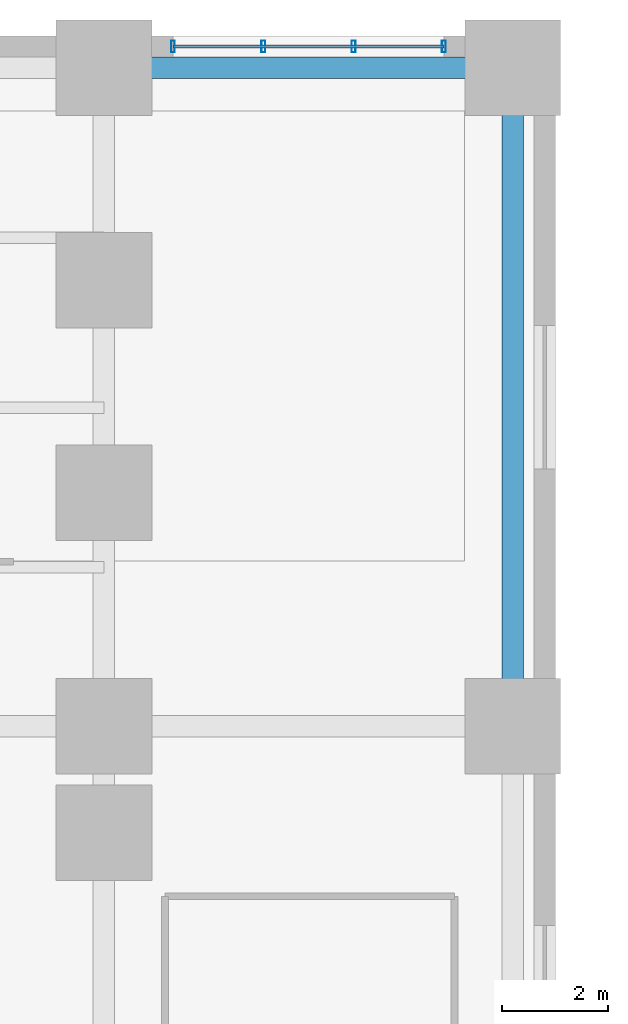
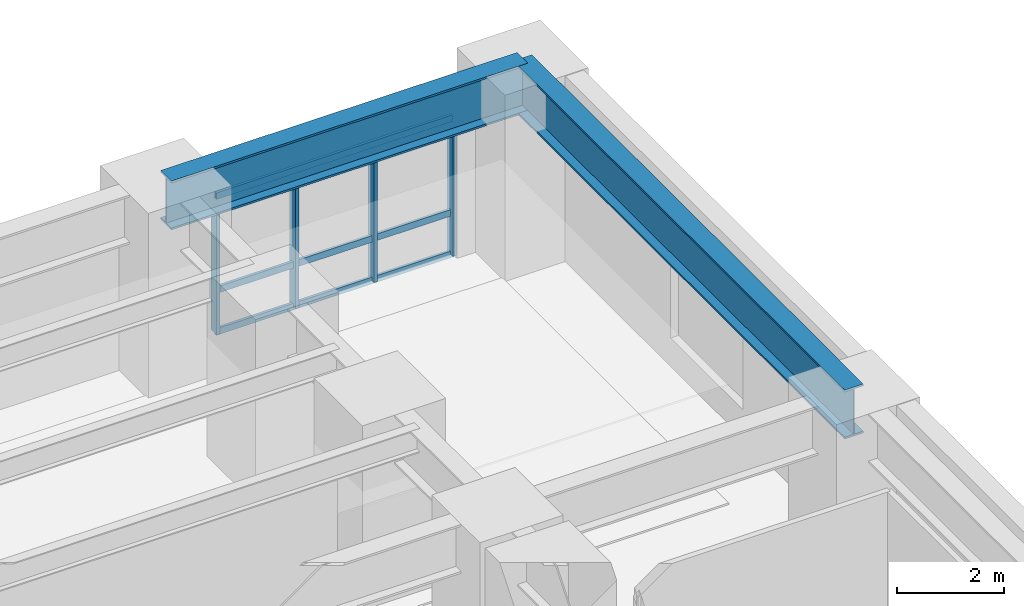
# One storey, part 3 of 11: 7 members, 2 beams, 1 element without a shape of its own.
"""IFC4 building model written with IfcOpenShell, lengths in metres."""

from ifc_helpers import new_model, si_unit, direction, frame, origin, origin_2d, place, context, subcontext, project, spatial, hollow_rectangle, i_section, extrude, source, transform, mapped, material, layer, layer_set, material_profile, profile_set, type_object, element, aggregate, save


model = new_model("IFC4")

# Units and contexts
model_context = context("Model", 3, precision=1e-05, world=origin(), true_north=direction((0.0, 1.0)))
body_context = subcontext(model_context, "Body", "Model", "MODEL_VIEW")
ifc_project = project(units=[si_unit("LENGTHUNIT", "METRE"), si_unit("AREAUNIT", "SQUARE_METRE"), si_unit("VOLUMEUNIT", "CUBIC_METRE"), si_unit("PLANEANGLEUNIT", "RADIAN"), si_unit("MASSUNIT", "GRAM", prefix="KILO")], contexts=[model_context])

# Site, building, storey
site_placement = place(None, origin())
site = spatial("IfcSite", under=ifc_project, at=site_placement, CompositionType="ELEMENT")
building_placement = place(site_placement, origin())
building = spatial("IfcBuilding", under=site, at=building_placement, Name="Kharzan Plaza Tower", CompositionType="ELEMENT")
storey_placement = place(building_placement, frame((0.0, 0.0, 9.0)))
storey = spatial("IfcBuildingStorey", under=building, at=storey_placement, Name="L02", CompositionType="ELEMENT", Elevation=9.0)

# Curtain wall, members
ifc_material_1 = material(Name="Unitised Bronze-Anodized Aluminium and Low-E Glass", Category="aluminium")
ifc_layer = layer(ifc_material_1, 0.199951171875)
ifc_layer_set = layer_set([ifc_layer], Name="Unitised Bronze-Anodized Aluminium and Low-E Glass")
curtain_wall_type = type_object("IfcCurtainWallType", Name="CW-PODIUM-1", PredefinedType="NOTDEFINED", material=ifc_layer_set)
curtain_wall_placement = place(storey_placement, origin())
curtain_wall = element("IfcCurtainWall", 1, at=curtain_wall_placement, inside=storey, type_object=curtain_wall_type, Name="L02 Podium North Gallery Curtain Wall", PredefinedType="NOTDEFINED")
ifc_material_2 = material(Name="Anodized Bronze Aluminium", Category="aluminium")
ifc_material_profile_1 = material_profile(ifc_material_2, hollow_rectangle(XDim=0.074951171875, YDim=0.219970703125, WallThickness=0.00390625, at=origin_2d()), Name="ALU-M220x75x4")
ifc_profile_set_1 = profile_set([ifc_material_profile_1], Name="Anodized Bronze Aluminium")
member_type_1 = type_object("IfcMemberType", Name="MEM-CW-MUL200", PredefinedType="MULLION", material=ifc_profile_set_1)
shared_shape_1 = source(origin(), body_context, "Body", "SweptSolid", [
    extrude(hollow_rectangle(XDim=0.074951171875, YDim=0.219970703125, WallThickness=0.00390625, at=origin_2d()), origin(), (0.0, 0.0, 1.0), 3.10009765625),
])
member_1_placement = place(storey_placement, frame((20.300048828125, 49.800048828125, 0.0), z_axis=(0.0, 0.0, 1.0), x_axis=(1.0, 0.0, 0.0)))
member_1 = element("IfcMember", 2, at=member_1_placement, type_object=member_type_1, Name="L02 Curtain-Wall Mullion 00", PredefinedType="MULLION", context=body_context, shape_type="MappedRepresentation", body=[
    mapped(shared_shape_1, transform((0.0, 0.0, 0.0), x_axis=(1.0, 0.0, 0.0), y_axis=(0.0, 1.0, 0.0), z_axis=(0.0, 0.0, 1.0))),
])
member_2_placement = place(storey_placement, frame((22.0, 49.800048828125, 0.0), z_axis=(0.0, 0.0, 1.0), x_axis=(1.0, 0.0, 0.0)))
member_2 = element("IfcMember", 3, at=member_2_placement, type_object=member_type_1, Name="L02 Curtain-Wall Mullion 01", PredefinedType="MULLION", context=body_context, shape_type="MappedRepresentation", body=[
    mapped(shared_shape_1, transform((0.0, 0.0, 0.0), x_axis=(1.0, 0.0, 0.0), y_axis=(0.0, 1.0, 0.0), z_axis=(0.0, 0.0, 1.0))),
])
member_3_placement = place(storey_placement, frame((23.699951171875, 49.800048828125, 0.0), z_axis=(0.0, 0.0, 1.0), x_axis=(1.0, 0.0, 0.0)))
member_3 = element("IfcMember", 4, at=member_3_placement, type_object=member_type_1, Name="L02 Curtain-Wall Mullion 02", PredefinedType="MULLION", context=body_context, shape_type="MappedRepresentation", body=[
    mapped(shared_shape_1, transform((0.0, 0.0, 0.0), x_axis=(1.0, 0.0, 0.0), y_axis=(0.0, 1.0, 0.0), z_axis=(0.0, 0.0, 1.0))),
])
member_4_placement = place(storey_placement, frame((25.39990234375, 49.800048828125, 0.0), z_axis=(0.0, 0.0, 1.0), x_axis=(1.0, 0.0, 0.0)))
member_4 = element("IfcMember", 5, at=member_4_placement, type_object=member_type_1, Name="L02 Curtain-Wall Mullion 03", PredefinedType="MULLION", context=body_context, shape_type="MappedRepresentation", body=[
    mapped(shared_shape_1, transform((0.0, 0.0, 0.0), x_axis=(1.0, 0.0, 0.0), y_axis=(0.0, 1.0, 0.0), z_axis=(0.0, 0.0, 1.0))),
])
ifc_material_profile_2 = material_profile(ifc_material_2, hollow_rectangle(XDim=0.06005859375, YDim=0.14990234375, WallThickness=0.00341796875, at=origin_2d()), Name="ALU-T150x60x3.5")
ifc_profile_set_2 = profile_set([ifc_material_profile_2], Name="Anodized Bronze Aluminium")
member_type_2 = type_object("IfcMemberType", Name="MEM-CW-TRN150", PredefinedType="USERDEFINED", material=ifc_profile_set_2)
shared_shape_2 = source(origin(), body_context, "Body", "SweptSolid", [
    extrude(hollow_rectangle(XDim=0.06005859375, YDim=0.14990234375, WallThickness=0.00341796875, at=origin_2d()), origin(), (0.0, 0.0, 1.0), 5.099853515625),
])
member_5_placement = place(storey_placement, frame((20.300048828125, 49.800048828125, 0.0), z_axis=(1.0, 0.0, 0.0), x_axis=(0.0, 1.0, 0.0)))
member_5 = element("IfcMember", 6, at=member_5_placement, type_object=member_type_2, Name="L02 Curtain-Wall Transom 1", ObjectType="TRANSOM", PredefinedType="USERDEFINED", context=body_context, shape_type="MappedRepresentation", body=[
    mapped(shared_shape_2, transform((0.0, 0.0, 0.0), x_axis=(1.0, 0.0, 0.0), y_axis=(0.0, 1.0, 0.0), z_axis=(0.0, 0.0, 1.0))),
])
member_6_placement = place(storey_placement, frame((20.300048828125, 49.800048828125, 0.949951171875), z_axis=(1.0, 0.0, 0.0), x_axis=(0.0, 1.0, 0.0)))
member_6 = element("IfcMember", 7, at=member_6_placement, type_object=member_type_2, Name="L02 Curtain-Wall Transom 2", ObjectType="TRANSOM", PredefinedType="USERDEFINED", context=body_context, shape_type="MappedRepresentation", body=[
    mapped(shared_shape_2, transform((0.0, 0.0, 0.0), x_axis=(1.0, 0.0, 0.0), y_axis=(0.0, 1.0, 0.0), z_axis=(0.0, 0.0, 1.0))),
])
member_7_placement = place(storey_placement, frame((20.300048828125, 49.800048828125, 3.10009765625), z_axis=(1.0, 0.0, 0.0), x_axis=(0.0, 1.0, 0.0)))
member_7 = element("IfcMember", 8, at=member_7_placement, type_object=member_type_2, Name="L02 Curtain-Wall Transom 3", ObjectType="TRANSOM", PredefinedType="USERDEFINED", context=body_context, shape_type="MappedRepresentation", body=[
    mapped(shared_shape_2, transform((0.0, 0.0, 0.0), x_axis=(1.0, 0.0, 0.0), y_axis=(0.0, 1.0, 0.0), z_axis=(0.0, 0.0, 1.0))),
])
aggregate(curtain_wall, [member_1, member_2, member_3, member_4, member_5, member_6, member_7])

# Beams
ifc_material_3 = material(Name="Steel S355", Category="steel")
ifc_material_profile_3 = material_profile(ifc_material_3, i_section(OverallWidth=0.405029296875, OverallDepth=1.117919921875, WebThickness=0.02587890625, FlangeThickness=0.044921875, at=origin_2d()), Name="W1100x499")
ifc_profile_set_3 = profile_set([ifc_material_profile_3], Name="Steel S355")
beam_type = type_object("IfcBeamType", Name="BM-PG1100A", PredefinedType="BEAM", material=ifc_profile_set_3)
shared_shape_3 = source(origin(), body_context, "Body", "SweptSolid", [
    extrude(i_section(OverallWidth=0.405029296875, OverallDepth=1.117919921875, WebThickness=0.02587890625, FlangeThickness=0.044921875, at=origin_2d()), origin(), (0.0, 0.0, 1.0), 7.699951171875),
])
beam_1_placement = place(storey_placement, frame((19.0, 49.39990234375, 3.69091796875), z_axis=(1.0, 0.0, 0.0), x_axis=(0.0, 1.0, 0.0)))
element("IfcBeam", 9, at=beam_1_placement, inside=storey, type_object=beam_type, Name="L02 Podium Primary Girder PG-11", PredefinedType="BEAM", context=body_context, shape_type="MappedRepresentation", body=[
    mapped(shared_shape_3, transform((0.0, 0.0, 0.0), x_axis=(1.0, 0.0, 0.0), y_axis=(0.0, 1.0, 0.0), z_axis=(0.0, 0.0, 1.0))),
])
shared_shape_4 = source(origin(), body_context, "Body", "SweptSolid", [
    extrude(i_section(OverallWidth=0.405029296875, OverallDepth=1.117919921875, WebThickness=0.02587890625, FlangeThickness=0.044921875, at=origin_2d()), origin(), (0.0, 0.0, 1.0), 12.39990234375),
])
beam_2_placement = place(storey_placement, frame((26.699951171875, 37.0, 3.69091796875), z_axis=(0.0, 1.0, 0.0), x_axis=(-1.0, 0.0, 0.0)))
element("IfcBeam", 10, at=beam_2_placement, inside=storey, type_object=beam_type, Name="L02 Podium Primary Girder PG-33", PredefinedType="BEAM", context=body_context, shape_type="MappedRepresentation", body=[
    mapped(shared_shape_4, transform((0.0, 0.0, 0.0), x_axis=(1.0, 0.0, 0.0), y_axis=(0.0, 1.0, 0.0), z_axis=(0.0, 0.0, 1.0))),
])

save(model, "model.ifc")
